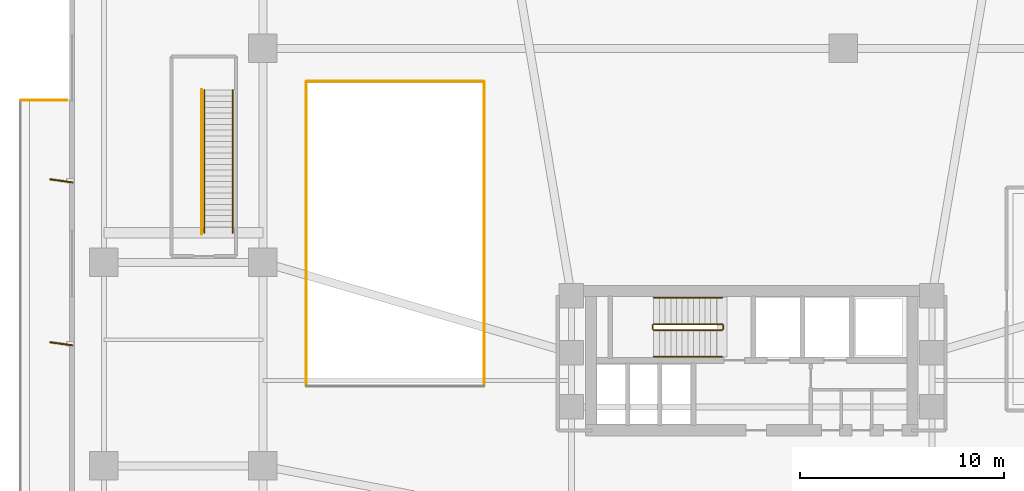
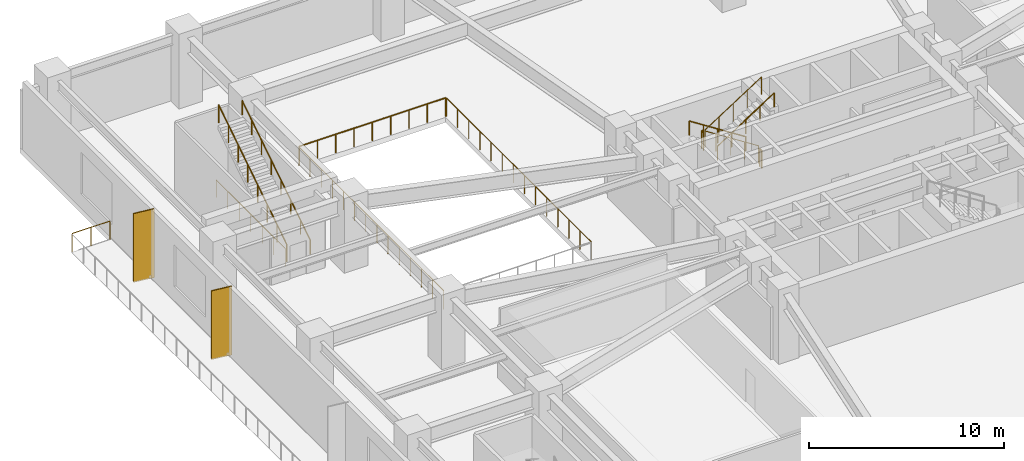
# One storey, part 12 of 13: 13 railings, 2 shading devices.
"""IFC4 building model written with IfcOpenShell, lengths in metres."""

from ifc_helpers import new_model, si_unit, direction, frame, origin, origin_2d, place, context, subcontext, project, spatial, rectangle, circle, extrude, material, layer, layer_set, type_object, element, save


model = new_model("IFC4")

# Units and contexts
model_context = context("Model", 3, precision=1e-05, world=origin(), true_north=direction((0.0, 1.0)))
body_context = subcontext(model_context, "Body", "Model", "MODEL_VIEW")
ifc_project = project(units=[si_unit("LENGTHUNIT", "METRE"), si_unit("AREAUNIT", "SQUARE_METRE"), si_unit("VOLUMEUNIT", "CUBIC_METRE"), si_unit("PLANEANGLEUNIT", "RADIAN"), si_unit("MASSUNIT", "GRAM", prefix="KILO")], contexts=[model_context])

# Site, building, storey
site_placement = place(None, origin())
site = spatial("IfcSite", under=ifc_project, at=site_placement, CompositionType="ELEMENT")
building_placement = place(site_placement, origin())
building = spatial("IfcBuilding", under=site, at=building_placement, Name="Solmarez Civic Tower", CompositionType="ELEMENT")
storey_placement = place(building_placement, frame((0.0, 0.0, 14.760009765625)))
storey = spatial("IfcBuildingStorey", under=building, at=storey_placement, Name="L03", CompositionType="ELEMENT", Elevation=14.760009765625)

# Shading devices
ifc_material_1 = material(Name="Bronze Anodised Aluminium EN AW-6063 T6", Category="aluminium")
ifc_layer = layer(ifc_material_1, 0.070068359375)
ifc_layer_set = layer_set([ifc_layer], Name="Bronze Anodised Aluminium EN AW-6063 T6")
shading_device_type = type_object("IfcShadingDeviceType", Name="FIN-BRONZE-POD", PredefinedType="USERDEFINED", material=ifc_layer_set)
for number, where, z_axis, x_axis, name in (
    (1, (-33.89501953125, 6.0, -0.0400390625), (0.0, 0.0, 1.0), (-0.990983199715, 0.133986185418, 0.0), "L03 Anodised Bronze Solar Fin FIN-L03-W3"),
    (2, (-33.89501953125, 14.0, -0.0400390625), (0.0, 0.0, 1.0), (-0.990983199715, 0.133986185418, 0.0), "L03 Anodised Bronze Solar Fin FIN-L03-W4"),
):
    element("IfcShadingDevice", number, at=place(storey_placement, frame(where, z_axis=z_axis, x_axis=x_axis)), inside=storey, type_object=shading_device_type, Name=name, ObjectType="FIN", PredefinedType="USERDEFINED", context=body_context, shape_type="SweptSolid", body=[
        extrude(rectangle(XDim=1.14990234375, YDim=0.070068359375, at=origin_2d()), origin(), (0.0, 0.0, 1.0), 4.320068359375),
    ])

# Railings
ifc_material_2 = material(Name="Painted Steel Stairwell Safety Guard", Category="steel")
railing_type_1 = type_object("IfcRailingType", Name="GUARD-STAIR-1120", PredefinedType="BALUSTRADE", material=ifc_material_2)
railing_1_placement = place(storey_placement, frame((-1.449951171875, 6.969970703125, 0.179931640625)))
element("IfcRailing", 3, at=railing_1_placement, inside=storey, type_object=railing_type_1, Name="L03 ST-1 stair guard 1", PredefinedType="BALUSTRADE", context=body_context, shape_type="SweptSolid", body=[
    extrude(circle(Radius=0.02392578125, at=origin_2d()), frame((0.0, 0.0, 1.09619140625), z_axis=(-0.8411685463, 0.0, 0.540773036232), x_axis=(0.0, -1.0, 0.0)), (0.0, 0.0, 1.0), 3.99462890625),
    extrude(circle(Radius=0.02099609375, at=origin_2d()), origin(), (0.0, 0.0, 1.0), 1.072021484375),
    extrude(circle(Radius=0.02099609375, at=origin_2d()), frame((-0.840087890625, 0.0, 0.5400390625)), (0.0, 0.0, 1.0), 1.072021484375),
    extrude(circle(Radius=0.02099609375, at=origin_2d()), frame((-1.68017578125, 0.0, 1.080078125)), (0.0, 0.0, 1.0), 1.072021484375),
    extrude(circle(Radius=0.02099609375, at=origin_2d()), frame((-2.52001953125, 0.0, 1.6201171875)), (0.0, 0.0, 1.0), 1.072021484375),
    extrude(circle(Radius=0.02099609375, at=origin_2d()), frame((-3.360107421875, 0.0, 2.16015625)), (0.0, 0.0, 1.0), 1.072021484375),
])
railing_2_placement = place(storey_placement, frame((-4.860107421875, 6.919921875, 2.340087890625)))
element("IfcRailing", 4, at=railing_2_placement, inside=storey, type_object=railing_type_1, Name="L03 ST-1 stair guard 2", PredefinedType="BALUSTRADE", context=body_context, shape_type="SweptSolid", body=[
    extrude(circle(Radius=0.02392578125, at=origin_2d()), frame((0.0, 0.0, 1.09619140625), z_axis=(0.0, -1.0, 0.0), x_axis=(1.0, 0.0, 0.0)), (0.0, 0.0, 1.0), 0.199951171875),
    extrude(circle(Radius=0.02099609375, at=origin_2d()), origin(), (0.0, 0.0, 1.0), 1.072021484375),
    extrude(circle(Radius=0.02099609375, at=origin_2d()), frame((0.0, -0.199951171875, 0.0)), (0.0, 0.0, 1.0), 1.072021484375),
])
railing_3_placement = place(storey_placement, frame((-4.81005859375, 6.669921875, 2.52001953125)))
element("IfcRailing", 5, at=railing_3_placement, inside=storey, type_object=railing_type_1, Name="L03 ST-1 stair guard 3", PredefinedType="BALUSTRADE", context=body_context, shape_type="SweptSolid", body=[
    extrude(circle(Radius=0.02392578125, at=origin_2d()), frame((0.0, 0.0, 1.09619140625), z_axis=(0.84119634759, 0.0, 0.540729789082), x_axis=(0.0, 1.0, 0.0)), (0.0, 0.0, 1.0), 3.994384765625),
    extrude(circle(Radius=0.02099609375, at=origin_2d()), origin(), (0.0, 0.0, 1.0), 1.072021484375),
    extrude(circle(Radius=0.02099609375, at=origin_2d()), frame((0.840087890625, 0.0, 0.5400390625)), (0.0, 0.0, 1.0), 1.072021484375),
    extrude(circle(Radius=0.02099609375, at=origin_2d()), frame((1.68017578125, 0.0, 1.080078125)), (0.0, 0.0, 1.0), 1.072021484375),
    extrude(circle(Radius=0.02099609375, at=origin_2d()), frame((2.52001953125, 0.0, 1.619873046875)), (0.0, 0.0, 1.0), 1.072021484375),
    extrude(circle(Radius=0.02099609375, at=origin_2d()), frame((3.360107421875, 0.0, 2.159912109375)), (0.0, 0.0, 1.0), 1.072021484375),
])
railing_4_placement = place(storey_placement, frame((-1.39990234375, 6.919921875, 0.0)))
element("IfcRailing", 6, at=railing_4_placement, inside=storey, type_object=railing_type_1, Name="L03 ST-1 stair guard 4", PredefinedType="BALUSTRADE", context=body_context, shape_type="SweptSolid", body=[
    extrude(circle(Radius=0.02392578125, at=origin_2d()), frame((0.0, 0.0, 1.09619140625), z_axis=(0.0, -1.0, 0.0), x_axis=(1.0, 0.0, 0.0)), (0.0, 0.0, 1.0), 0.199951171875),
    extrude(circle(Radius=0.02099609375, at=origin_2d()), origin(), (0.0, 0.0, 1.0), 1.072021484375),
    extrude(circle(Radius=0.02099609375, at=origin_2d()), frame((0.0, -0.199951171875, 0.0)), (0.0, 0.0, 1.0), 1.072021484375),
])
railing_5_placement = place(storey_placement, frame((-26.8701171875, 11.449951171875, 0.179931640625)))
element("IfcRailing", 7, at=railing_5_placement, inside=storey, type_object=railing_type_1, Name="L03 Stair ST-P3 Flight Guard", PredefinedType="BALUSTRADE", context=body_context, shape_type="SweptSolid", body=[
    extrude(circle(Radius=0.02392578125, at=origin_2d()), frame((0.0, 0.0, 1.09619140625), z_axis=(0.0, 0.841178475377, 0.540757591313), x_axis=(-1.0, 0.0, 0.0)), (0.0, 0.0, 1.0), 8.32177734375),
    extrude(circle(Radius=0.02099609375, at=origin_2d()), origin(), (0.0, 0.0, 1.0), 1.072021484375),
    extrude(circle(Radius=0.02099609375, at=origin_2d()), frame((0.0, 1.0, 0.642822265625)), (0.0, 0.0, 1.0), 1.072021484375),
    extrude(circle(Radius=0.02099609375, at=origin_2d()), frame((0.0, 2.0, 1.28564453125)), (0.0, 0.0, 1.0), 1.072021484375),
    extrude(circle(Radius=0.02099609375, at=origin_2d()), frame((0.0, 3.0, 1.928466796875)), (0.0, 0.0, 1.0), 1.072021484375),
    extrude(circle(Radius=0.02099609375, at=origin_2d()), frame((0.0, 4.0, 2.571533203125)), (0.0, 0.0, 1.0), 1.072021484375),
    extrude(circle(Radius=0.02099609375, at=origin_2d()), frame((0.0, 5.0, 3.21435546875)), (0.0, 0.0, 1.0), 1.072021484375),
    extrude(circle(Radius=0.02099609375, at=origin_2d()), frame((0.0, 6.0, 3.857177734375)), (0.0, 0.0, 1.0), 1.072021484375),
    extrude(circle(Radius=0.02099609375, at=origin_2d()), frame((0.0, 7.0, 4.5)), (0.0, 0.0, 1.0), 1.072021484375),
])
railing_6_placement = place(storey_placement, frame((-27.0, 11.3798828125, 0.0)))
element("IfcRailing", 8, at=railing_6_placement, inside=storey, type_object=railing_type_1, Name="L03 Stair ST-P3 Walkway Well Guard", PredefinedType="BALUSTRADE", context=body_context, shape_type="SweptSolid", body=[
    extrude(circle(Radius=0.02392578125, at=origin_2d()), frame((0.0, 0.0, 1.09619140625), z_axis=(0.0, 1.0, 0.0), x_axis=(-1.0, 0.0, 0.0)), (0.0, 0.0, 1.0), 7.10009765625),
    extrude(circle(Radius=0.02099609375, at=origin_2d()), origin(), (0.0, 0.0, 1.0), 1.072021484375),
    extrude(circle(Radius=0.02099609375, at=origin_2d()), frame((0.0, 1.183349609375, 0.0)), (0.0, 0.0, 1.0), 1.072021484375),
    extrude(circle(Radius=0.02099609375, at=origin_2d()), frame((0.0, 2.36669921875, 0.0)), (0.0, 0.0, 1.0), 1.072021484375),
    extrude(circle(Radius=0.02099609375, at=origin_2d()), frame((0.0, 3.550048828125, 0.0)), (0.0, 0.0, 1.0), 1.072021484375),
    extrude(circle(Radius=0.02099609375, at=origin_2d()), frame((0.0, 4.7333984375, 0.0)), (0.0, 0.0, 1.0), 1.072021484375),
    extrude(circle(Radius=0.02099609375, at=origin_2d()), frame((0.0, 5.916748046875, 0.0)), (0.0, 0.0, 1.0), 1.072021484375),
    extrude(circle(Radius=0.02099609375, at=origin_2d()), frame((0.0, 7.10009765625, 0.0)), (0.0, 0.0, 1.0), 1.072021484375),
])
ifc_material_3 = material(Name="Bronze Anodised Aluminium and Laminated Safety Glass Balustrade", Category="aluminium")
railing_type_2 = type_object("IfcRailingType", Name="GUARD-TERR-1180", PredefinedType="BALUSTRADE", material=ifc_material_3)
railing_7_placement = place(storey_placement, frame((-35.864990234375, 17.949951171875, 0.0)))
element("IfcRailing", 9, at=railing_7_placement, inside=storey, type_object=railing_type_2, Name="L03 Safety Balustrade GRD-TERR-L03-W-3", PredefinedType="BALUSTRADE", context=body_context, shape_type="SweptSolid", body=[
    extrude(circle(Radius=0.02392578125, at=origin_2d()), frame((0.0, 0.0, 1.15576171875), z_axis=(1.0, 0.0, 0.0), x_axis=(0.0, 1.0, 0.0)), (0.0, 0.0, 1.0), 2.25),
    extrude(circle(Radius=0.02099609375, at=origin_2d()), origin(), (0.0, 0.0, 1.0), 1.1318359375),
    extrude(circle(Radius=0.02099609375, at=origin_2d()), frame((1.125, 0.0, 0.0)), (0.0, 0.0, 1.0), 1.1318359375),
    extrude(circle(Radius=0.02099609375, at=origin_2d()), frame((2.25, 0.0, 0.0)), (0.0, 0.0, 1.0), 1.1318359375),
])
railing_8_placement = place(storey_placement, frame((-13.1201171875, 3.955078125, 0.0)))
element("IfcRailing", 10, at=railing_8_placement, inside=storey, type_object=railing_type_2, Name="L03 Safety Balustrade GRD-VOID-L03-CHAM-2", PredefinedType="BALUSTRADE", context=body_context, shape_type="SweptSolid", body=[
    extrude(circle(Radius=0.02392578125, at=origin_2d()), frame((0.0, 0.0, 1.15576171875), z_axis=(0.0, 1.0, 0.0), x_axis=(-1.0, 0.0, 0.0)), (0.0, 0.0, 1.0), 14.889892578125),
    extrude(circle(Radius=0.02099609375, at=origin_2d()), origin(), (0.0, 0.0, 1.0), 1.1318359375),
    extrude(circle(Radius=0.02099609375, at=origin_2d()), frame((0.0, 1.145263671875, 0.0)), (0.0, 0.0, 1.0), 1.1318359375),
    extrude(circle(Radius=0.02099609375, at=origin_2d()), frame((0.0, 2.290771484375, 0.0)), (0.0, 0.0, 1.0), 1.1318359375),
    extrude(circle(Radius=0.02099609375, at=origin_2d()), frame((0.0, 3.43603515625, 0.0)), (0.0, 0.0, 1.0), 1.1318359375),
    extrude(circle(Radius=0.02099609375, at=origin_2d()), frame((0.0, 4.58154296875, 0.0)), (0.0, 0.0, 1.0), 1.1318359375),
    extrude(circle(Radius=0.02099609375, at=origin_2d()), frame((0.0, 5.726806640625, 0.0)), (0.0, 0.0, 1.0), 1.1318359375),
    extrude(circle(Radius=0.02099609375, at=origin_2d()), frame((0.0, 6.872314453125, 0.0)), (0.0, 0.0, 1.0), 1.1318359375),
    extrude(circle(Radius=0.02099609375, at=origin_2d()), frame((0.0, 8.017578125, 0.0)), (0.0, 0.0, 1.0), 1.1318359375),
    extrude(circle(Radius=0.02099609375, at=origin_2d()), frame((0.0, 9.1630859375, 0.0)), (0.0, 0.0, 1.0), 1.1318359375),
    extrude(circle(Radius=0.02099609375, at=origin_2d()), frame((0.0, 10.308349609375, 0.0)), (0.0, 0.0, 1.0), 1.1318359375),
    extrude(circle(Radius=0.02099609375, at=origin_2d()), frame((0.0, 11.453857421875, 0.0)), (0.0, 0.0, 1.0), 1.1318359375),
    extrude(circle(Radius=0.02099609375, at=origin_2d()), frame((0.0, 12.59912109375, 0.0)), (0.0, 0.0, 1.0), 1.1318359375),
    extrude(circle(Radius=0.02099609375, at=origin_2d()), frame((0.0, 13.74462890625, 0.0)), (0.0, 0.0, 1.0), 1.1318359375),
    extrude(circle(Radius=0.02099609375, at=origin_2d()), frame((0.0, 14.889892578125, 0.0)), (0.0, 0.0, 1.0), 1.1318359375),
])
railing_9_placement = place(storey_placement, frame((-13.155029296875, 18.8798828125, 0.0)))
element("IfcRailing", 11, at=railing_9_placement, inside=storey, type_object=railing_type_2, Name="L03 Safety Balustrade GRD-VOID-L03-CHAM-3", PredefinedType="BALUSTRADE", context=body_context, shape_type="SweptSolid", body=[
    extrude(circle(Radius=0.02392578125, at=origin_2d()), frame((0.0, 0.0, 1.15576171875), z_axis=(-1.0, 0.0, 0.0), x_axis=(0.0, -1.0, 0.0)), (0.0, 0.0, 1.0), 8.68994140625),
    extrude(circle(Radius=0.02099609375, at=origin_2d()), origin(), (0.0, 0.0, 1.0), 1.1318359375),
    extrude(circle(Radius=0.02099609375, at=origin_2d()), frame((-1.086181640625, 0.0, 0.0)), (0.0, 0.0, 1.0), 1.1318359375),
    extrude(circle(Radius=0.02099609375, at=origin_2d()), frame((-2.17236328125, 0.0, 0.0)), (0.0, 0.0, 1.0), 1.1318359375),
    extrude(circle(Radius=0.02099609375, at=origin_2d()), frame((-3.2587890625, 0.0, 0.0)), (0.0, 0.0, 1.0), 1.1318359375),
    extrude(circle(Radius=0.02099609375, at=origin_2d()), frame((-4.344970703125, 0.0, 0.0)), (0.0, 0.0, 1.0), 1.1318359375),
    extrude(circle(Radius=0.02099609375, at=origin_2d()), frame((-5.43115234375, 0.0, 0.0)), (0.0, 0.0, 1.0), 1.1318359375),
    extrude(circle(Radius=0.02099609375, at=origin_2d()), frame((-6.517578125, 0.0, 0.0)), (0.0, 0.0, 1.0), 1.1318359375),
    extrude(circle(Radius=0.02099609375, at=origin_2d()), frame((-7.603759765625, 0.0, 0.0)), (0.0, 0.0, 1.0), 1.1318359375),
    extrude(circle(Radius=0.02099609375, at=origin_2d()), frame((-8.68994140625, 0.0, 0.0)), (0.0, 0.0, 1.0), 1.1318359375),
])
railing_10_placement = place(storey_placement, frame((-21.8798828125, 18.844970703125, 0.0)))
element("IfcRailing", 12, at=railing_10_placement, inside=storey, type_object=railing_type_2, Name="L03 Safety Balustrade GRD-VOID-L03-CHAM-4", PredefinedType="BALUSTRADE", context=body_context, shape_type="SweptSolid", body=[
    extrude(circle(Radius=0.02392578125, at=origin_2d()), frame((0.0, 0.0, 1.15576171875), z_axis=(0.0, -1.0, 0.0), x_axis=(1.0, 0.0, 0.0)), (0.0, 0.0, 1.0), 14.889892578125),
    extrude(circle(Radius=0.02099609375, at=origin_2d()), origin(), (0.0, 0.0, 1.0), 1.1318359375),
    extrude(circle(Radius=0.02099609375, at=origin_2d()), frame((0.0, -1.145263671875, 0.0)), (0.0, 0.0, 1.0), 1.1318359375),
    extrude(circle(Radius=0.02099609375, at=origin_2d()), frame((0.0, -2.290771484375, 0.0)), (0.0, 0.0, 1.0), 1.1318359375),
    extrude(circle(Radius=0.02099609375, at=origin_2d()), frame((0.0, -3.43603515625, 0.0)), (0.0, 0.0, 1.0), 1.1318359375),
    extrude(circle(Radius=0.02099609375, at=origin_2d()), frame((0.0, -4.58154296875, 0.0)), (0.0, 0.0, 1.0), 1.1318359375),
    extrude(circle(Radius=0.02099609375, at=origin_2d()), frame((0.0, -5.726806640625, 0.0)), (0.0, 0.0, 1.0), 1.1318359375),
    extrude(circle(Radius=0.02099609375, at=origin_2d()), frame((0.0, -6.872314453125, 0.0)), (0.0, 0.0, 1.0), 1.1318359375),
    extrude(circle(Radius=0.02099609375, at=origin_2d()), frame((0.0, -8.017578125, 0.0)), (0.0, 0.0, 1.0), 1.1318359375),
    extrude(circle(Radius=0.02099609375, at=origin_2d()), frame((0.0, -9.1630859375, 0.0)), (0.0, 0.0, 1.0), 1.1318359375),
    extrude(circle(Radius=0.02099609375, at=origin_2d()), frame((0.0, -10.308349609375, 0.0)), (0.0, 0.0, 1.0), 1.1318359375),
    extrude(circle(Radius=0.02099609375, at=origin_2d()), frame((0.0, -11.453857421875, 0.0)), (0.0, 0.0, 1.0), 1.1318359375),
    extrude(circle(Radius=0.02099609375, at=origin_2d()), frame((0.0, -12.59912109375, 0.0)), (0.0, 0.0, 1.0), 1.1318359375),
    extrude(circle(Radius=0.02099609375, at=origin_2d()), frame((0.0, -13.74462890625, 0.0)), (0.0, 0.0, 1.0), 1.1318359375),
    extrude(circle(Radius=0.02099609375, at=origin_2d()), frame((0.0, -14.889892578125, 0.0)), (0.0, 0.0, 1.0), 1.1318359375),
])
ifc_material_4 = material(Name="Brushed Stainless Steel Tube Handrail", Category="steel")
railing_type_3 = type_object("IfcRailingType", Name="HANDRAIL-STAIR-900", PredefinedType="HANDRAIL", material=ifc_material_4)
railing_11_placement = place(storey_placement, frame((-1.449951171875, 8.27001953125, 0.179931640625)))
element("IfcRailing", 13, at=railing_11_placement, inside=storey, type_object=railing_type_3, Name="L03 ST-1 stair handrail 1", PredefinedType="HANDRAIL", context=body_context, shape_type="SweptSolid", body=[
    extrude(circle(Radius=0.02392578125, at=origin_2d()), frame((0.0, 0.0, 0.8759765625), z_axis=(-0.8411685463, 0.0, 0.540773036232), x_axis=(0.0, -1.0, 0.0)), (0.0, 0.0, 1.0), 3.99462890625),
    extrude(circle(Radius=0.02099609375, at=origin_2d()), origin(), (0.0, 0.0, 1.0), 0.851806640625),
    extrude(circle(Radius=0.02099609375, at=origin_2d()), frame((-0.840087890625, 0.0, 0.5400390625)), (0.0, 0.0, 1.0), 0.851806640625),
    extrude(circle(Radius=0.02099609375, at=origin_2d()), frame((-1.68017578125, 0.0, 1.080078125)), (0.0, 0.0, 1.0), 0.851806640625),
    extrude(circle(Radius=0.02099609375, at=origin_2d()), frame((-2.52001953125, 0.0, 1.6201171875)), (0.0, 0.0, 1.0), 0.851806640625),
    extrude(circle(Radius=0.02099609375, at=origin_2d()), frame((-3.360107421875, 0.0, 2.16015625)), (0.0, 0.0, 1.0), 0.851806640625),
])
railing_12_placement = place(storey_placement, frame((-4.81005859375, 5.3701171875, 2.52001953125)))
element("IfcRailing", 14, at=railing_12_placement, inside=storey, type_object=railing_type_3, Name="L03 ST-1 stair handrail 2", PredefinedType="HANDRAIL", context=body_context, shape_type="SweptSolid", body=[
    extrude(circle(Radius=0.02392578125, at=origin_2d()), frame((0.0, 0.0, 0.8759765625), z_axis=(0.84119634759, 0.0, 0.540729789082), x_axis=(0.0, 1.0, 0.0)), (0.0, 0.0, 1.0), 3.994384765625),
    extrude(circle(Radius=0.02099609375, at=origin_2d()), origin(), (0.0, 0.0, 1.0), 0.851806640625),
    extrude(circle(Radius=0.02099609375, at=origin_2d()), frame((0.840087890625, 0.0, 0.5400390625)), (0.0, 0.0, 1.0), 0.851806640625),
    extrude(circle(Radius=0.02099609375, at=origin_2d()), frame((1.68017578125, 0.0, 1.080078125)), (0.0, 0.0, 1.0), 0.851806640625),
    extrude(circle(Radius=0.02099609375, at=origin_2d()), frame((2.52001953125, 0.0, 1.619873046875)), (0.0, 0.0, 1.0), 0.851806640625),
    extrude(circle(Radius=0.02099609375, at=origin_2d()), frame((3.360107421875, 0.0, 2.159912109375)), (0.0, 0.0, 1.0), 0.851806640625),
])
railing_13_placement = place(storey_placement, frame((-25.47998046875, 11.449951171875, 0.179931640625)))
element("IfcRailing", 15, at=railing_13_placement, inside=storey, type_object=railing_type_3, Name="L03 Stair ST-P3 Handrail", PredefinedType="HANDRAIL", context=body_context, shape_type="SweptSolid", body=[
    extrude(circle(Radius=0.02392578125, at=origin_2d()), frame((0.0, 0.0, 0.8759765625), z_axis=(0.0, 0.841178475377, 0.540757591313), x_axis=(-1.0, 0.0, 0.0)), (0.0, 0.0, 1.0), 8.32177734375),
    extrude(circle(Radius=0.02099609375, at=origin_2d()), origin(), (0.0, 0.0, 1.0), 0.851806640625),
    extrude(circle(Radius=0.02099609375, at=origin_2d()), frame((0.0, 1.0, 0.642822265625)), (0.0, 0.0, 1.0), 0.851806640625),
    extrude(circle(Radius=0.02099609375, at=origin_2d()), frame((0.0, 2.0, 1.28564453125)), (0.0, 0.0, 1.0), 0.851806640625),
    extrude(circle(Radius=0.02099609375, at=origin_2d()), frame((0.0, 3.0, 1.928466796875)), (0.0, 0.0, 1.0), 0.851806640625),
    extrude(circle(Radius=0.02099609375, at=origin_2d()), frame((0.0, 4.0, 2.571533203125)), (0.0, 0.0, 1.0), 0.851806640625),
    extrude(circle(Radius=0.02099609375, at=origin_2d()), frame((0.0, 5.0, 3.21435546875)), (0.0, 0.0, 1.0), 0.851806640625),
    extrude(circle(Radius=0.02099609375, at=origin_2d()), frame((0.0, 6.0, 3.857177734375)), (0.0, 0.0, 1.0), 0.851806640625),
    extrude(circle(Radius=0.02099609375, at=origin_2d()), frame((0.0, 7.0, 4.5)), (0.0, 0.0, 1.0), 0.851806640625),
])

save(model, "model.ifc")
